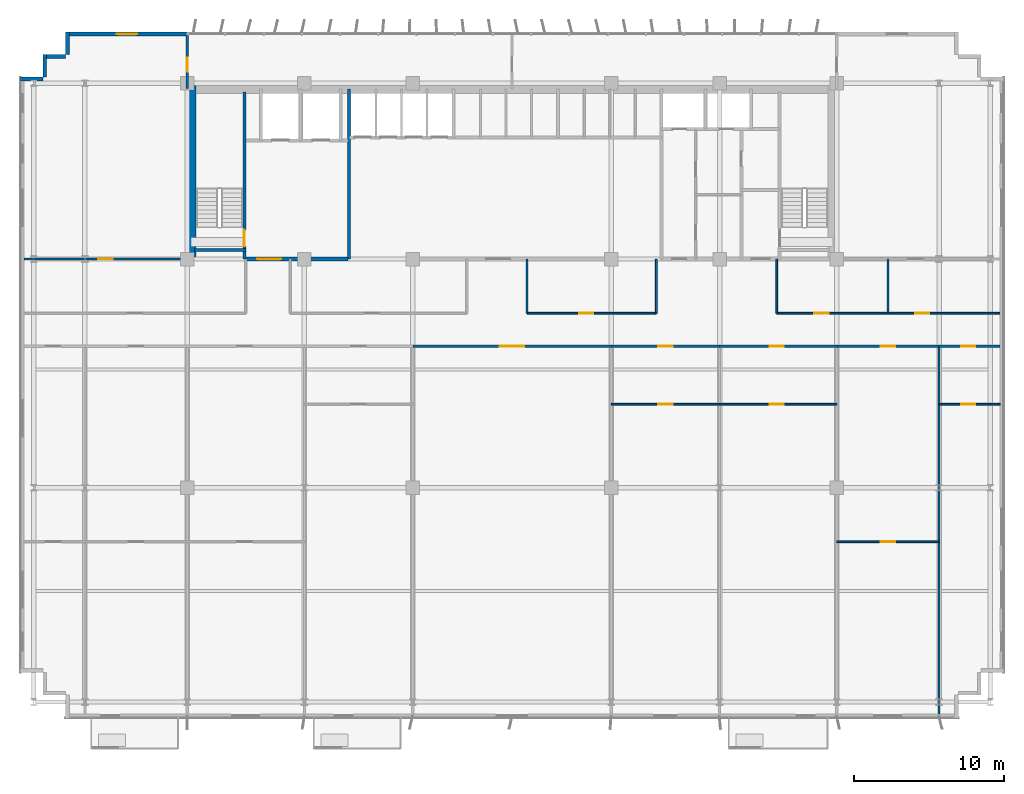
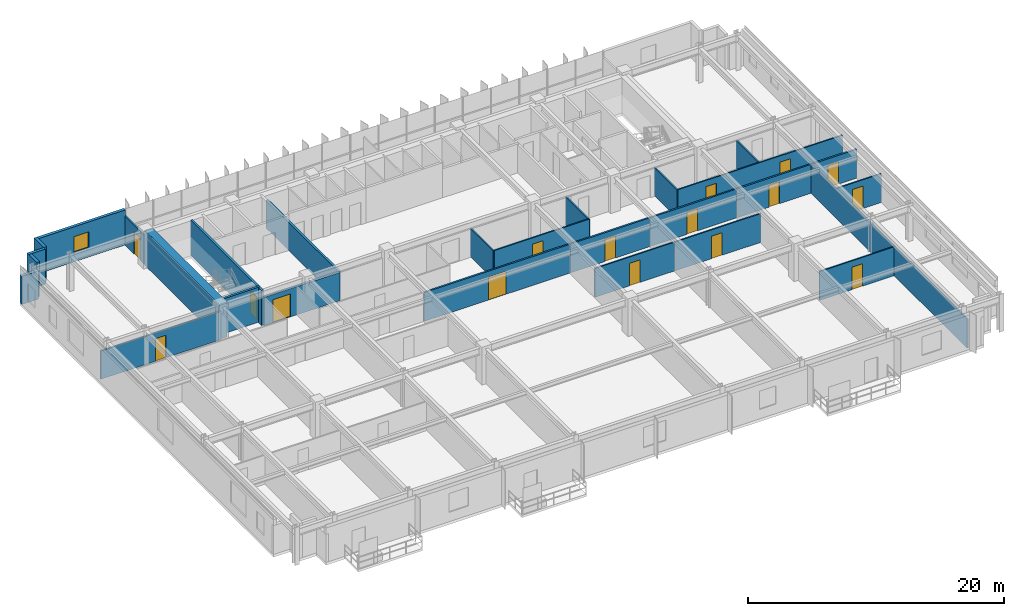
# One storey, part 16 of 21: 28 walls, 16 doors, 1 window, 17 openings.
"""IFC4 building model written with IfcOpenShell, lengths in metres."""

from ifc_helpers import new_model, si_unit, direction, frame, frame_2d, origin, place, context, subcontext, project, spatial, rectangle, extrude, source, transform, mapped, material, layer, layer_set, type_object, element, fill, save


model = new_model("IFC4")

# Units and contexts
model_context = context("Model", 3, precision=1e-05, world=origin(), true_north=direction((0.0, 1.0)))
body_context = subcontext(model_context, "Body", "Model", "MODEL_VIEW")
ifc_project = project(units=[si_unit("LENGTHUNIT", "METRE"), si_unit("AREAUNIT", "SQUARE_METRE"), si_unit("VOLUMEUNIT", "CUBIC_METRE"), si_unit("PLANEANGLEUNIT", "RADIAN"), si_unit("MASSUNIT", "GRAM", prefix="KILO")], contexts=[model_context])

# Site, building, storey
site_placement = place(None, origin())
site = spatial("IfcSite", under=ifc_project, at=site_placement, CompositionType="ELEMENT")
building_placement = place(site_placement, origin())
building = spatial("IfcBuilding", under=site, at=building_placement, Name="Trelvane Seafront Commons", CompositionType="ELEMENT")
storey_placement = place(building_placement, frame((0.0, 0.0, 37.89990234375)))
storey = spatial("IfcBuildingStorey", under=building, at=storey_placement, Name="L09", CompositionType="ELEMENT", Elevation=37.89990234375)

# Wall, opening, window
ifc_material_1 = material(Name="Precast concrete C40/50", Category="concrete")
ifc_layer_1 = layer(ifc_material_1, 0.260009765625, Name="ARCH-WALL-EXT260")
ifc_layer_set_1 = layer_set([ifc_layer_1], Name="Precast concrete C40/50")
wall_type_1 = type_object("IfcWallType", Name="ARCH-WALL-EXT260", PredefinedType="SOLIDWALL", material=ifc_layer_set_1)
wall_1_placement = place(storey_placement, frame((7.60009765625, 48.3701171875, 0.0), z_axis=(0.0, 0.0, 1.0), x_axis=(1.0, 0.0, 0.0)))
wall_1 = element("IfcWall", 1, at=wall_1_placement, inside=storey, type_object=wall_type_1, Name="EW-L09-NW-0129", PredefinedType="SOLIDWALL", context=body_context, shape_type="SweptSolid", body=[
    extrude(rectangle(XDim=8.0, YDim=0.260009765625, at=frame_2d((4.0, 0.0))), origin(), (0.0, 0.0, 1.0), 3.340087890625),
])
opening_1_placement = place(wall_1_placement, frame((3.324951171875, 0.0, 0.89990234375)))
opening_1 = element("IfcOpeningElement", 2, at=opening_1_placement, cuts=wall_1, Name="Opening W09", PredefinedType="OPENING", context=body_context, shape_type="SweptSolid", body=[
    extrude(rectangle(XDim=1.35009765625, YDim=1.5, at=frame_2d((0.675048828125, 0.75))), frame((0.0, 0.139892578125, 0.0), z_axis=(0.0, -1.0, 0.0), x_axis=(1.0, 0.0, 0.0)), (0.0, 0.0, 1.0), 0.280029296875),
])
ifc_material_2 = material(Name="Low-E coastal double glazing", Category="glass")
window_type = type_object("IfcWindowType", Name="ARCH-WIN-W09", PartitioningType="SINGLE_PANEL", PredefinedType="WINDOW", material=ifc_material_2)
shared_shape_1 = source(origin(), body_context, "Body", "SweptSolid", [
    extrude(rectangle(XDim=1.35009765625, YDim=1.5, at=frame_2d((0.675048828125, 0.75))), frame((0.0, 0.030029296875, 0.0), z_axis=(0.0, -1.0, 0.0), x_axis=(1.0, 0.0, 0.0)), (0.0, 0.0, 1.0), 0.06005859375),
])
window_placement = place(opening_1_placement, origin())
window = element("IfcWindow", 3, at=window_placement, inside=storey, type_object=window_type, Name="WIN-L09-00174", OverallHeight=1.5, OverallWidth=1.35009765625, PartitioningType="SINGLE_PANEL", PredefinedType="WINDOW", context=body_context, shape_type="MappedRepresentation", body=[
    mapped(shared_shape_1, transform((0.0, 0.0, 0.0), x_axis=(1.0, 0.0, 0.0), y_axis=(0.0, 1.0, 0.0), z_axis=(0.0, 0.0, 1.0), scale=1.0)),
])
fill(opening_1, window)

# Walls
wall_2_placement = place(storey_placement, frame((4.5, 45.3701171875, 0.0), z_axis=(0.0, 0.0, 1.0), x_axis=(1.0, 0.0, 0.0)))
element("IfcWall", 4, at=wall_2_placement, inside=storey, type_object=wall_type_1, Name="EW-L09-00135", PredefinedType="SOLIDWALL", context=body_context, shape_type="SweptSolid", body=[
    extrude(rectangle(XDim=1.5, YDim=0.260009765625, at=frame_2d((0.75, 0.0))), origin(), (0.0, 0.0, 1.0), 2.690185546875),
])
for number, where, z_axis, x_axis, name in (
    (5, (6.1298828125, 45.5, 0.0), (0.0, 0.0, 1.0), (0.0, 1.0, 0.0), "EW-L09-00136"),
    (6, (6.0, 46.8701171875, 0.0), (0.0, 0.0, 1.0), (1.0, 0.0, 0.0), "EW-L09-00137"),
    (7, (7.6298828125, 47.0, 0.0), (0.0, 0.0, 1.0), (0.0, 1.0, 0.0), "EW-L09-00138"),
):
    element("IfcWall", number, at=place(storey_placement, frame(where, z_axis=z_axis, x_axis=x_axis)), inside=storey, type_object=wall_type_1, Name=name, PredefinedType="SOLIDWALL", context=body_context, shape_type="SweptSolid", body=[
        extrude(rectangle(XDim=1.5, YDim=0.260009765625, at=frame_2d((0.75, 0.0))), origin(), (0.0, 0.0, 1.0), 3.340087890625),
    ])

# Wall, opening, door
ifc_material_3 = material(Name="Concrete C40/50", Category="concrete")
ifc_layer_2 = layer(ifc_material_3, 0.25, Name="ARCH-WALL-FIRE250")
ifc_layer_set_2 = layer_set([ifc_layer_2], Name="Concrete C40/50")
wall_type_2 = type_object("IfcWallType", Name="ARCH-WALL-FIRE250", PredefinedType="PARTITIONING", material=ifc_layer_set_2)
wall_3_placement = place(storey_placement, frame((19.5, 33.39990234375, 0.0), z_axis=(0.0, 0.0, 1.0), x_axis=(1.0, 0.0, 0.0)))
wall_3 = element("IfcWall", 8, at=wall_3_placement, inside=storey, type_object=wall_type_2, Name="W-L09-CS-FFL-013", PredefinedType="PARTITIONING", context=body_context, shape_type="SweptSolid", body=[
    extrude(rectangle(XDim=6.800048828125, YDim=0.25, at=frame_2d((3.39990234375, 0.0))), origin(), (0.0, 0.0, 1.0), 2.690185546875),
])
opening_2_placement = place(wall_3_placement, frame((0.75, 0.0, 0.0)))
opening_2 = element("IfcOpeningElement", 9, at=opening_2_placement, cuts=wall_3, Name="Opening FD-L09-05", PredefinedType="OPENING", context=body_context, shape_type="SweptSolid", body=[
    extrude(rectangle(XDim=1.60009765625, YDim=2.199951171875, at=frame_2d((0.800048828125, 1.10009765625))), frame((0.0, 0.135009765625, 0.0), z_axis=(0.0, -1.0, 0.0), x_axis=(1.0, 0.0, 0.0)), (0.0, 0.0, 1.0), 0.27001953125),
])
ifc_material_4 = material(Name="Powder-coated aluminium frame", Category="aluminium")
door_type_1 = type_object("IfcDoorType", Name="ARCH-DR-FD60-1600", OperationType="DOUBLE_DOOR_SINGLE_SWING", PredefinedType="DOOR", material=ifc_material_4)
shared_shape_2 = source(origin(), body_context, "Body", "SweptSolid", [
    extrude(rectangle(XDim=1.60009765625, YDim=2.199951171875, at=frame_2d((0.800048828125, 1.10009765625))), frame((0.0, 0.02490234375, 0.0), z_axis=(0.0, -1.0, 0.0), x_axis=(1.0, 0.0, 0.0)), (0.0, 0.0, 1.0), 0.050048828125),
])
door_1_placement = place(opening_2_placement, origin())
door_1 = element("IfcDoor", 10, at=door_1_placement, inside=storey, type_object=door_type_1, Name="L09 Firefighting Lift Lobby Double Fire Door", OperationType="DOUBLE_DOOR_SINGLE_SWING", OverallHeight=2.199951171875, OverallWidth=1.60009765625, PredefinedType="DOOR", context=body_context, shape_type="MappedRepresentation", body=[
    mapped(shared_shape_2, transform((0.0, 0.0, 0.0), x_axis=(1.0, 0.0, 0.0), y_axis=(0.0, 1.0, 0.0), z_axis=(0.0, 0.0, 1.0), scale=1.0)),
])
fill(opening_2, door_1)

ifc_material_5 = material(Name="Gypsum Drywall Acoustic Partition")
ifc_layer_3 = layer(ifc_material_5, 0.1201171875, Name="ARCH-WALL-PART120")
ifc_layer_set_3 = layer_set([ifc_layer_3], Name="Gypsum Drywall Acoustic Partition")
wall_type_3 = type_object("IfcWallType", Name="ARCH-WALL-PART120", PredefinedType="PARTITIONING", material=ifc_layer_set_3)
wall_4_placement = place(storey_placement, frame((38.199951171875, 29.800048828125, 0.0), z_axis=(0.0, 0.0, 1.0), x_axis=(1.0, 0.0, 0.0)))
wall_4 = element("IfcWall", 11, at=wall_4_placement, inside=storey, type_object=wall_type_3, Name="W-L09-CORR-N-M2-040", PredefinedType="PARTITIONING", context=body_context, shape_type="SweptSolid", body=[
    extrude(rectangle(XDim=8.60009765625, YDim=0.1201171875, at=frame_2d((4.300048828125, 0.0))), origin(), (0.0, 0.0, 1.0), 2.752197265625),
])
opening_3_placement = place(wall_4_placement, frame((3.4619140625, 0.0, 0.0)))
opening_3 = element("IfcOpeningElement", 12, at=opening_3_placement, cuts=wall_4, Name="Opening D-L09-20", PredefinedType="OPENING", context=body_context, shape_type="SweptSolid", body=[
    extrude(rectangle(XDim=0.949951171875, YDim=2.14990234375, at=frame_2d((0.47509765625, 1.074951171875))), frame((0.0, 0.070068359375, 0.0), z_axis=(0.0, -1.0, 0.0), x_axis=(1.0, 0.0, 0.0)), (0.0, 0.0, 1.0), 0.14013671875),
])
ifc_material_6 = material(Name="Acoustic timber door leaf", Category="wood")
door_type_2 = type_object("IfcDoorType", Name="ARCH-DR-INT950", OperationType="NOTDEFINED", PredefinedType="DOOR", material=ifc_material_6)
shared_shape_3 = source(origin(), body_context, "Body", "SweptSolid", [
    extrude(rectangle(XDim=0.949951171875, YDim=2.14990234375, at=frame_2d((0.47509765625, 1.074951171875))), frame((0.0, 0.02490234375, 0.0), z_axis=(0.0, -1.0, 0.0), x_axis=(1.0, 0.0, 0.0)), (0.0, 0.0, 1.0), 0.050048828125),
])
door_2_placement = place(opening_3_placement, origin())
door_2 = element("IfcDoor", 13, at=door_2_placement, inside=storey, type_object=door_type_2, Name="L09 Door 20", OperationType="SINGLE_SWING_RIGHT", OverallHeight=2.14990234375, OverallWidth=0.949951171875, PredefinedType="DOOR", context=body_context, shape_type="MappedRepresentation", body=[
    mapped(shared_shape_3, transform((0.0, 0.0, 0.0), x_axis=(1.0, 0.0, 0.0), y_axis=(0.0, 1.0, 0.0), z_axis=(0.0, 0.0, 1.0), scale=1.0)),
])
fill(opening_3, door_2)

# Wall, openings, doors
wall_5_placement = place(storey_placement, frame((54.800048828125, 29.800048828125, 0.0), z_axis=(0.0, 0.0, 1.0), x_axis=(1.0, 0.0, 0.0)))
wall_5 = element("IfcWall", 14, at=wall_5_placement, inside=storey, type_object=wall_type_3, Name="W-L09-CORR-N-E-041", PredefinedType="PARTITIONING", context=body_context, shape_type="SweptSolid", body=[
    extrude(rectangle(XDim=14.849853515625, YDim=0.1201171875, at=frame_2d((7.4248046875, 0.0))), origin(), (0.0, 0.0, 1.0), 2.752197265625),
])
opening_4_placement = place(wall_5_placement, frame((2.5, 0.0, 0.0)))
opening_4 = element("IfcOpeningElement", 15, at=opening_4_placement, cuts=wall_5, Name="Opening D-L09-21", PredefinedType="OPENING", context=body_context, shape_type="SweptSolid", body=[
    extrude(rectangle(XDim=0.949951171875, YDim=2.14990234375, at=frame_2d((0.47509765625, 1.074951171875))), frame((0.0, 0.070068359375, 0.0), z_axis=(0.0, -1.0, 0.0), x_axis=(1.0, 0.0, 0.0)), (0.0, 0.0, 1.0), 0.14013671875),
])
opening_5_placement = place(wall_5_placement, frame((9.199951171875, 0.0, 0.0)))
opening_5 = element("IfcOpeningElement", 16, at=opening_5_placement, cuts=wall_5, Name="Opening D-L09-22", PredefinedType="OPENING", context=body_context, shape_type="SweptSolid", body=[
    extrude(rectangle(XDim=0.949951171875, YDim=2.14990234375, at=frame_2d((0.47509765625, 1.074951171875))), frame((0.0, 0.070068359375, 0.0), z_axis=(0.0, -1.0, 0.0), x_axis=(1.0, 0.0, 0.0)), (0.0, 0.0, 1.0), 0.14013671875),
])
door_3_placement = place(opening_4_placement, origin())
door_3 = element("IfcDoor", 17, at=door_3_placement, inside=storey, type_object=door_type_2, Name="L09 Door 21", OperationType="SINGLE_SWING_LEFT", OverallHeight=2.14990234375, OverallWidth=0.949951171875, PredefinedType="DOOR", context=body_context, shape_type="MappedRepresentation", body=[
    mapped(shared_shape_3, transform((0.0, 0.0, 0.0), x_axis=(1.0, 0.0, 0.0), y_axis=(0.0, 1.0, 0.0), z_axis=(0.0, 0.0, 1.0), scale=1.0)),
])
fill(opening_4, door_3)
door_4_placement = place(opening_5_placement, origin())
door_4 = element("IfcDoor", 18, at=door_4_placement, inside=storey, type_object=door_type_2, Name="L09 Door 22", OperationType="SINGLE_SWING_RIGHT", OverallHeight=2.14990234375, OverallWidth=0.949951171875, PredefinedType="DOOR", context=body_context, shape_type="MappedRepresentation", body=[
    mapped(shared_shape_3, transform((0.0, 0.0, 0.0), x_axis=(1.0, 0.0, 0.0), y_axis=(0.0, 1.0, 0.0), z_axis=(0.0, 0.0, 1.0), scale=1.0)),
])
fill(opening_5, door_4)

# Walls
for number, where, z_axis, x_axis, name in (
    (19, (62.199951171875, 29.800048828125, 0.0), (0.0, 0.0, 1.0), (0.0, 1.0, 0.0), "W-L09-N-LAUN-DV-042"),
    (20, (38.199951171875, 29.800048828125, 0.0), (0.0, 0.0, 1.0), (0.0, 1.0, 0.0), "W-L09-N-SPUR-M2-046"),
    (21, (46.800048828125, 29.800048828125, 0.0), (0.0, 0.0, 1.0), (0.0, 1.0, 0.0), "W-L09-N-SPUR-E1-047"),
    (22, (54.800048828125, 29.800048828125, 0.0), (0.0, 0.0, 1.0), (0.0, 1.0, 0.0), "W-L09-N-SPUR-E2-048"),
):
    element("IfcWall", number, at=place(storey_placement, frame(where, z_axis=z_axis, x_axis=x_axis)), inside=storey, type_object=wall_type_3, Name=name, PredefinedType="PARTITIONING", context=body_context, shape_type="SweptSolid", body=[
        extrude(rectangle(XDim=3.599853515625, YDim=0.1201171875, at=frame_2d((1.7998046875, 0.0))), origin(), (0.0, 0.0, 1.0), 2.690185546875),
    ])

# Wall, opening, door
wall_6_placement = place(storey_placement, frame((43.800048828125, 23.75, 0.0), z_axis=(0.0, 0.0, 1.0), x_axis=(1.0, 0.0, 0.0)))
wall_6 = element("IfcWall", 23, at=wall_6_placement, inside=storey, type_object=wall_type_3, Name="W-L09-U6-DIV-072", PredefinedType="PARTITIONING", context=body_context, shape_type="SweptSolid", body=[
    extrude(rectangle(XDim=7.199951171875, YDim=0.1201171875, at=frame_2d((3.60009765625, 0.0))), origin(), (0.0, 0.0, 1.0), 2.752197265625),
])
opening_6_placement = place(wall_6_placement, frame((3.125, 0.0, 0.0)))
opening_6 = element("IfcOpeningElement", 24, at=opening_6_placement, cuts=wall_6, Name="Opening D-L09-38", PredefinedType="OPENING", context=body_context, shape_type="SweptSolid", body=[
    extrude(rectangle(XDim=0.949951171875, YDim=2.14990234375, at=frame_2d((0.47509765625, 1.074951171875))), frame((0.0, 0.070068359375, 0.0), z_axis=(0.0, -1.0, 0.0), x_axis=(1.0, 0.0, 0.0)), (0.0, 0.0, 1.0), 0.14013671875),
])
door_5_placement = place(opening_6_placement, origin())
door_5 = element("IfcDoor", 25, at=door_5_placement, inside=storey, type_object=door_type_2, Name="L09 Door 38", OperationType="SINGLE_SWING_RIGHT", OverallHeight=2.14990234375, OverallWidth=0.949951171875, PredefinedType="DOOR", context=body_context, shape_type="MappedRepresentation", body=[
    mapped(shared_shape_3, transform((0.0, 0.0, 0.0), x_axis=(1.0, 0.0, 0.0), y_axis=(0.0, 1.0, 0.0), z_axis=(0.0, 0.0, 1.0), scale=1.0)),
])
fill(opening_6, door_5)

wall_7_placement = place(storey_placement, frame((51.0, 23.75, 0.0), z_axis=(0.0, 0.0, 1.0), x_axis=(1.0, 0.0, 0.0)))
wall_7 = element("IfcWall", 26, at=wall_7_placement, inside=storey, type_object=wall_type_3, Name="W-L09-U7-DIV-074", PredefinedType="PARTITIONING", context=body_context, shape_type="SweptSolid", body=[
    extrude(rectangle(XDim=7.800048828125, YDim=0.1201171875, at=frame_2d((3.89990234375, 0.0))), origin(), (0.0, 0.0, 1.0), 2.752197265625),
])
opening_7_placement = place(wall_7_placement, frame((3.3330078125, 0.0, 0.0)))
opening_7 = element("IfcOpeningElement", 27, at=opening_7_placement, cuts=wall_7, Name="Opening D-L09-40", PredefinedType="OPENING", context=body_context, shape_type="SweptSolid", body=[
    extrude(rectangle(XDim=0.949951171875, YDim=2.14990234375, at=frame_2d((0.47509765625, 1.074951171875))), frame((0.0, 0.070068359375, 0.0), z_axis=(0.0, -1.0, 0.0), x_axis=(1.0, 0.0, 0.0)), (0.0, 0.0, 1.0), 0.14013671875),
])
door_6_placement = place(opening_7_placement, origin())
door_6 = element("IfcDoor", 28, at=door_6_placement, inside=storey, type_object=door_type_2, Name="L09 Door 40", OperationType="SINGLE_SWING_RIGHT", OverallHeight=2.14990234375, OverallWidth=0.949951171875, PredefinedType="DOOR", context=body_context, shape_type="MappedRepresentation", body=[
    mapped(shared_shape_3, transform((0.0, 0.0, 0.0), x_axis=(1.0, 0.0, 0.0), y_axis=(0.0, 1.0, 0.0), z_axis=(0.0, 0.0, 1.0), scale=1.0)),
])
fill(opening_7, door_6)

wall_8_placement = place(storey_placement, frame((58.800048828125, 14.60009765625, 0.0), z_axis=(0.0, 0.0, 1.0), x_axis=(1.0, 0.0, 0.0)))
wall_8 = element("IfcWall", 29, at=wall_8_placement, inside=storey, type_object=wall_type_3, Name="W-L09-U8-DIV-076", PredefinedType="PARTITIONING", context=body_context, shape_type="SweptSolid", body=[
    extrude(rectangle(XDim=6.800048828125, YDim=0.1201171875, at=frame_2d((3.39990234375, 0.0))), origin(), (0.0, 0.0, 1.0), 2.752197265625),
])
opening_8_placement = place(wall_8_placement, frame((2.925048828125, 0.0, 0.0)))
opening_8 = element("IfcOpeningElement", 30, at=opening_8_placement, cuts=wall_8, Name="Opening D-L09-42", PredefinedType="OPENING", context=body_context, shape_type="SweptSolid", body=[
    extrude(rectangle(XDim=0.949951171875, YDim=2.14990234375, at=frame_2d((0.47509765625, 1.074951171875))), frame((0.0, 0.070068359375, 0.0), z_axis=(0.0, -1.0, 0.0), x_axis=(1.0, 0.0, 0.0)), (0.0, 0.0, 1.0), 0.14013671875),
])
door_7_placement = place(opening_8_placement, origin())
door_7 = element("IfcDoor", 31, at=door_7_placement, inside=storey, type_object=door_type_2, Name="L09 Door 42", OperationType="SINGLE_SWING_RIGHT", OverallHeight=2.14990234375, OverallWidth=0.949951171875, PredefinedType="DOOR", context=body_context, shape_type="MappedRepresentation", body=[
    mapped(shared_shape_3, transform((0.0, 0.0, 0.0), x_axis=(1.0, 0.0, 0.0), y_axis=(0.0, 1.0, 0.0), z_axis=(0.0, 0.0, 1.0), scale=1.0)),
])
fill(opening_8, door_7)

wall_9_placement = place(storey_placement, frame((65.60009765625, 23.75, 0.0), z_axis=(0.0, 0.0, 1.0), x_axis=(1.0, 0.0, 0.0)))
wall_9 = element("IfcWall", 32, at=wall_9_placement, inside=storey, type_object=wall_type_3, Name="W-L09-U9-DIV-078", PredefinedType="PARTITIONING", context=body_context, shape_type="SweptSolid", body=[
    extrude(rectangle(XDim=4.054931640625, YDim=0.1201171875, at=frame_2d((2.02734375, 0.0))), origin(), (0.0, 0.0, 1.0), 2.752197265625),
])
opening_9_placement = place(wall_9_placement, frame((1.4619140625, 0.0, 0.0)))
opening_9 = element("IfcOpeningElement", 33, at=opening_9_placement, cuts=wall_9, Name="Opening D-L09-44", PredefinedType="OPENING", context=body_context, shape_type="SweptSolid", body=[
    extrude(rectangle(XDim=0.949951171875, YDim=2.14990234375, at=frame_2d((0.47509765625, 1.074951171875))), frame((0.0, 0.070068359375, 0.0), z_axis=(0.0, -1.0, 0.0), x_axis=(1.0, 0.0, 0.0)), (0.0, 0.0, 1.0), 0.14013671875),
])
door_8_placement = place(opening_9_placement, origin())
door_8 = element("IfcDoor", 34, at=door_8_placement, inside=storey, type_object=door_type_2, Name="L09 Door 44", OperationType="SINGLE_SWING_RIGHT", OverallHeight=2.14990234375, OverallWidth=0.949951171875, PredefinedType="DOOR", context=body_context, shape_type="MappedRepresentation", body=[
    mapped(shared_shape_3, transform((0.0, 0.0, 0.0), x_axis=(1.0, 0.0, 0.0), y_axis=(0.0, 1.0, 0.0), z_axis=(0.0, 0.0, 1.0), scale=1.0)),
])
fill(opening_9, door_8)

ifc_layer_4 = layer(ifc_material_5, 0.14990234375, Name="ARCH-WALL-PART150")
ifc_layer_set_4 = layer_set([ifc_layer_4], Name="Gypsum Drywall Acoustic Partition")
wall_type_4 = type_object("IfcWallType", Name="ARCH-WALL-PART150", PredefinedType="PARTITIONING", material=ifc_layer_set_4)
wall_10_placement = place(storey_placement, frame((4.75, 33.39990234375, 0.0), z_axis=(0.0, 0.0, 1.0), x_axis=(1.0, 0.0, 0.0)))
wall_10 = element("IfcWall", 35, at=wall_10_placement, inside=storey, type_object=wall_type_4, Name="W-L09-NW-ENT-049", PredefinedType="PARTITIONING", context=body_context, shape_type="SweptSolid", body=[
    extrude(rectangle(XDim=10.85009765625, YDim=0.14990234375, at=frame_2d((5.425048828125, 0.0))), origin(), (0.0, 0.0, 1.0), 2.690185546875),
])
opening_10_placement = place(wall_10_placement, frame((4.93994140625, 0.0, 0.0)))
opening_10 = element("IfcOpeningElement", 36, at=opening_10_placement, cuts=wall_10, Name="Opening FD-L09-23", PredefinedType="OPENING", context=body_context, shape_type="SweptSolid", body=[
    extrude(rectangle(XDim=0.949951171875, YDim=2.14990234375, at=frame_2d((0.47509765625, 1.074951171875))), frame((0.0, 0.0849609375, 0.0), z_axis=(0.0, -1.0, 0.0), x_axis=(1.0, 0.0, 0.0)), (0.0, 0.0, 1.0), 0.169921875),
])
door_type_3 = type_object("IfcDoorType", Name="ARCH-DR-FD60-950", OperationType="NOTDEFINED", PredefinedType="DOOR", material=ifc_material_4)
door_9_placement = place(opening_10_placement, origin())
door_9 = element("IfcDoor", 37, at=door_9_placement, inside=storey, type_object=door_type_3, Name="L09 NW Suite Entrance Door", OperationType="SINGLE_SWING_LEFT", OverallHeight=2.14990234375, OverallWidth=0.949951171875, PredefinedType="DOOR", context=body_context, shape_type="MappedRepresentation", body=[
    mapped(shared_shape_3, transform((0.0, 0.0, 0.0), x_axis=(1.0, 0.0, 0.0), y_axis=(0.0, 1.0, 0.0), z_axis=(0.0, 0.0, 1.0), scale=1.0)),
])
fill(opening_10, door_9)

wall_11_placement = place(storey_placement, frame((15.60009765625, 44.75, 0.0), z_axis=(0.0, 0.0, 1.0), x_axis=(0.0, 1.0, 0.0)))
wall_11 = element("IfcWall", 38, at=wall_11_placement, inside=storey, type_object=wall_type_4, Name="W-L09-N-LINK-W-052", PredefinedType="PARTITIONING", context=body_context, shape_type="SweptSolid", body=[
    extrude(rectangle(XDim=3.610107421875, YDim=0.14990234375, at=frame_2d((1.80517578125, 0.0))), origin(), (0.0, 0.0, 1.0), 2.752197265625),
])
opening_11_placement = place(wall_11_placement, frame((1.10009765625, 0.0, 0.0)))
opening_11 = element("IfcOpeningElement", 39, at=opening_11_placement, cuts=wall_11, Name="Opening FD-L09-26", PredefinedType="OPENING", context=body_context, shape_type="SweptSolid", body=[
    extrude(rectangle(XDim=0.949951171875, YDim=2.14990234375, at=frame_2d((0.47509765625, 1.074951171875))), frame((0.0, 0.0849609375, 0.0), z_axis=(0.0, -1.0, 0.0), x_axis=(1.0, 0.0, 0.0)), (0.0, 0.0, 1.0), 0.169921875),
])
door_10_placement = place(opening_11_placement, origin())
door_10 = element("IfcDoor", 40, at=door_10_placement, inside=storey, type_object=door_type_3, Name="L09 Door 26", OperationType="SINGLE_SWING_RIGHT", OverallHeight=2.14990234375, OverallWidth=0.949951171875, PredefinedType="DOOR", context=body_context, shape_type="MappedRepresentation", body=[
    mapped(shared_shape_3, transform((0.0, 0.0, 0.0), x_axis=(1.0, 0.0, 0.0), y_axis=(0.0, 1.0, 0.0), z_axis=(0.0, 0.0, 1.0), scale=1.0)),
])
fill(opening_11, door_10)

# Wall
wall_12_placement = place(storey_placement, frame((65.60009765625, 3.14501953125, 0.0), z_axis=(0.0, 0.0, 1.0), x_axis=(0.0, 1.0, 0.0)))
element("IfcWall", 41, at=wall_12_placement, inside=storey, type_object=wall_type_4, Name="W-L09-PW-8-061", PredefinedType="PARTITIONING", context=body_context, shape_type="SweptSolid", body=[
    extrude(rectangle(XDim=24.455078125, YDim=0.14990234375, at=frame_2d((12.2275390625, 0.0))), origin(), (0.0, 0.0, 1.0), 2.752197265625),
])

# Wall, opening, door
wall_13_placement = place(storey_placement, frame((30.60009765625, 27.60009765625, 0.0), z_axis=(0.0, 0.0, 1.0), x_axis=(1.0, 0.0, 0.0)))
wall_13 = element("IfcWall", 42, at=wall_13_placement, inside=storey, type_object=wall_type_4, Name="W-L09-CS-BAY-5-070", PredefinedType="PARTITIONING", context=body_context, shape_type="SweptSolid", body=[
    extrude(rectangle(XDim=13.199951171875, YDim=0.14990234375, at=frame_2d((6.60009765625, 0.0))), origin(), (0.0, 0.0, 1.0), 2.752197265625),
])
opening_12_placement = place(wall_13_placement, frame((5.800048828125, 0.0, 0.0)))
opening_12 = element("IfcOpeningElement", 43, at=opening_12_placement, cuts=wall_13, Name="Opening D-L09-36", PredefinedType="OPENING", context=body_context, shape_type="SweptSolid", body=[
    extrude(rectangle(XDim=1.60009765625, YDim=2.199951171875, at=frame_2d((0.800048828125, 1.10009765625))), frame((0.0, 0.0849609375, 0.0), z_axis=(0.0, -1.0, 0.0), x_axis=(1.0, 0.0, 0.0)), (0.0, 0.0, 1.0), 0.169921875),
])
door_type_4 = type_object("IfcDoorType", Name="ARCH-DR-GLZ1600", OperationType="DOUBLE_DOOR_SINGLE_SWING", PredefinedType="DOOR", material=ifc_material_6)
door_11_placement = place(opening_12_placement, origin())
door_11 = element("IfcDoor", 44, at=door_11_placement, inside=storey, type_object=door_type_4, Name="L09 Commons Lounge 05 Door", OperationType="DOUBLE_DOOR_SINGLE_SWING", OverallHeight=2.199951171875, OverallWidth=1.60009765625, PredefinedType="DOOR", context=body_context, shape_type="MappedRepresentation", body=[
    mapped(shared_shape_2, transform((0.0, 0.0, 0.0), x_axis=(1.0, 0.0, 0.0), y_axis=(0.0, 1.0, 0.0), z_axis=(0.0, 0.0, 1.0), scale=1.0)),
])
fill(opening_12, door_11)

wall_14_placement = place(storey_placement, frame((43.800048828125, 27.60009765625, 0.0), z_axis=(0.0, 0.0, 1.0), x_axis=(1.0, 0.0, 0.0)))
wall_14 = element("IfcWall", 45, at=wall_14_placement, inside=storey, type_object=wall_type_4, Name="W-L09-CS-BAY-6-071", PredefinedType="PARTITIONING", context=body_context, shape_type="SweptSolid", body=[
    extrude(rectangle(XDim=7.199951171875, YDim=0.14990234375, at=frame_2d((3.60009765625, 0.0))), origin(), (0.0, 0.0, 1.0), 2.752197265625),
])
opening_13_placement = place(wall_14_placement, frame((3.125, 0.0, 0.0)))
opening_13 = element("IfcOpeningElement", 46, at=opening_13_placement, cuts=wall_14, Name="Opening FD-L09-37", PredefinedType="OPENING", context=body_context, shape_type="SweptSolid", body=[
    extrude(rectangle(XDim=0.949951171875, YDim=2.14990234375, at=frame_2d((0.47509765625, 1.074951171875))), frame((0.0, 0.0849609375, 0.0), z_axis=(0.0, -1.0, 0.0), x_axis=(1.0, 0.0, 0.0)), (0.0, 0.0, 1.0), 0.169921875),
])
door_12_placement = place(opening_13_placement, origin())
door_12 = element("IfcDoor", 47, at=door_12_placement, inside=storey, type_object=door_type_3, Name="L09 Bay 06 Entrance Door", OperationType="SINGLE_SWING_LEFT", OverallHeight=2.14990234375, OverallWidth=0.949951171875, PredefinedType="DOOR", context=body_context, shape_type="MappedRepresentation", body=[
    mapped(shared_shape_3, transform((0.0, 0.0, 0.0), x_axis=(1.0, 0.0, 0.0), y_axis=(0.0, 1.0, 0.0), z_axis=(0.0, 0.0, 1.0), scale=1.0)),
])
fill(opening_13, door_12)

wall_15_placement = place(storey_placement, frame((51.0, 27.60009765625, 0.0), z_axis=(0.0, 0.0, 1.0), x_axis=(1.0, 0.0, 0.0)))
wall_15 = element("IfcWall", 48, at=wall_15_placement, inside=storey, type_object=wall_type_4, Name="W-L09-CS-BAY-7-073", PredefinedType="PARTITIONING", context=body_context, shape_type="SweptSolid", body=[
    extrude(rectangle(XDim=7.800048828125, YDim=0.14990234375, at=frame_2d((3.89990234375, 0.0))), origin(), (0.0, 0.0, 1.0), 2.752197265625),
])
opening_14_placement = place(wall_15_placement, frame((3.3330078125, 0.0, 0.0)))
opening_14 = element("IfcOpeningElement", 49, at=opening_14_placement, cuts=wall_15, Name="Opening FD-L09-39", PredefinedType="OPENING", context=body_context, shape_type="SweptSolid", body=[
    extrude(rectangle(XDim=0.949951171875, YDim=2.14990234375, at=frame_2d((0.47509765625, 1.074951171875))), frame((0.0, 0.0849609375, 0.0), z_axis=(0.0, -1.0, 0.0), x_axis=(1.0, 0.0, 0.0)), (0.0, 0.0, 1.0), 0.169921875),
])
door_13_placement = place(opening_14_placement, origin())
door_13 = element("IfcDoor", 50, at=door_13_placement, inside=storey, type_object=door_type_3, Name="L09 Bay 07 Entrance Door", OperationType="SINGLE_SWING_LEFT", OverallHeight=2.14990234375, OverallWidth=0.949951171875, PredefinedType="DOOR", context=body_context, shape_type="MappedRepresentation", body=[
    mapped(shared_shape_3, transform((0.0, 0.0, 0.0), x_axis=(1.0, 0.0, 0.0), y_axis=(0.0, 1.0, 0.0), z_axis=(0.0, 0.0, 1.0), scale=1.0)),
])
fill(opening_14, door_13)

wall_16_placement = place(storey_placement, frame((58.800048828125, 27.60009765625, 0.0), z_axis=(0.0, 0.0, 1.0), x_axis=(1.0, 0.0, 0.0)))
wall_16 = element("IfcWall", 51, at=wall_16_placement, inside=storey, type_object=wall_type_4, Name="W-L09-CS-BAY-8-075", PredefinedType="PARTITIONING", context=body_context, shape_type="SweptSolid", body=[
    extrude(rectangle(XDim=6.800048828125, YDim=0.14990234375, at=frame_2d((3.39990234375, 0.0))), origin(), (0.0, 0.0, 1.0), 2.752197265625),
])
opening_15_placement = place(wall_16_placement, frame((2.925048828125, 0.0, 0.0)))
opening_15 = element("IfcOpeningElement", 52, at=opening_15_placement, cuts=wall_16, Name="Opening FD-L09-41", PredefinedType="OPENING", context=body_context, shape_type="SweptSolid", body=[
    extrude(rectangle(XDim=0.949951171875, YDim=2.14990234375, at=frame_2d((0.47509765625, 1.074951171875))), frame((0.0, 0.0849609375, 0.0), z_axis=(0.0, -1.0, 0.0), x_axis=(1.0, 0.0, 0.0)), (0.0, 0.0, 1.0), 0.169921875),
])
door_14_placement = place(opening_15_placement, origin())
door_14 = element("IfcDoor", 53, at=door_14_placement, inside=storey, type_object=door_type_3, Name="L09 Bay 08 Entrance Door", OperationType="SINGLE_SWING_LEFT", OverallHeight=2.14990234375, OverallWidth=0.949951171875, PredefinedType="DOOR", context=body_context, shape_type="MappedRepresentation", body=[
    mapped(shared_shape_3, transform((0.0, 0.0, 0.0), x_axis=(1.0, 0.0, 0.0), y_axis=(0.0, 1.0, 0.0), z_axis=(0.0, 0.0, 1.0), scale=1.0)),
])
fill(opening_15, door_14)

wall_17_placement = place(storey_placement, frame((65.60009765625, 27.60009765625, 0.0), z_axis=(0.0, 0.0, 1.0), x_axis=(1.0, 0.0, 0.0)))
wall_17 = element("IfcWall", 54, at=wall_17_placement, inside=storey, type_object=wall_type_4, Name="W-L09-CS-BAY-9-077", PredefinedType="PARTITIONING", context=body_context, shape_type="SweptSolid", body=[
    extrude(rectangle(XDim=4.054931640625, YDim=0.14990234375, at=frame_2d((2.02734375, 0.0))), origin(), (0.0, 0.0, 1.0), 2.752197265625),
])
opening_16_placement = place(wall_17_placement, frame((1.4619140625, 0.0, 0.0)))
opening_16 = element("IfcOpeningElement", 55, at=opening_16_placement, cuts=wall_17, Name="Opening FD-L09-43", PredefinedType="OPENING", context=body_context, shape_type="SweptSolid", body=[
    extrude(rectangle(XDim=0.949951171875, YDim=2.14990234375, at=frame_2d((0.47509765625, 1.074951171875))), frame((0.0, 0.0849609375, 0.0), z_axis=(0.0, -1.0, 0.0), x_axis=(1.0, 0.0, 0.0)), (0.0, 0.0, 1.0), 0.169921875),
])
door_15_placement = place(opening_16_placement, origin())
door_15 = element("IfcDoor", 56, at=door_15_placement, inside=storey, type_object=door_type_3, Name="L09 Bay 09 Entrance Door", OperationType="SINGLE_SWING_LEFT", OverallHeight=2.14990234375, OverallWidth=0.949951171875, PredefinedType="DOOR", context=body_context, shape_type="MappedRepresentation", body=[
    mapped(shared_shape_3, transform((0.0, 0.0, 0.0), x_axis=(1.0, 0.0, 0.0), y_axis=(0.0, 1.0, 0.0), z_axis=(0.0, 0.0, 1.0), scale=1.0)),
])
fill(opening_16, door_15)

# Walls
ifc_layer_5 = layer(ifc_material_3, 0.199951171875, Name="ARCH-WALL-SHAFT200")
ifc_layer_set_5 = layer_set([ifc_layer_5], Name="Concrete C40/50")
wall_type_5 = type_object("IfcWallType", Name="ARCH-WALL-SHAFT200", PredefinedType="SOLIDWALL", material=ifc_layer_set_5)
wall_18_placement = place(storey_placement, frame((26.35009765625, 33.39990234375, 0.0), z_axis=(0.0, 0.0, 1.0), x_axis=(0.0, 1.0, 0.0)))
element("IfcWall", 57, at=wall_18_placement, inside=storey, type_object=wall_type_5, Name="W-L09-FFL-EAST-012", PredefinedType="SOLIDWALL", context=body_context, shape_type="SweptSolid", body=[
    extrude(rectangle(XDim=11.300048828125, YDim=0.199951171875, at=frame_2d((5.64990234375, 0.0))), origin(), (0.0, 0.0, 1.0), 2.690185546875),
])
ifc_material_7 = material(Name="Concrete C60/75", Category="concrete")
ifc_layer_6 = layer(ifc_material_7, 0.699951171875, Name="STR-WALL-CORE700")
ifc_layer_set_6 = layer_set([ifc_layer_6], Name="Concrete C60/75")
wall_type_6 = type_object("IfcWallType", Name="STR-WALL-CORE700", PredefinedType="SHEAR", material=ifc_layer_set_6)
wall_19_placement = place(storey_placement, frame((15.85009765625, 33.39990234375, 0.0), z_axis=(0.0, 0.0, 1.0), x_axis=(0.0, 1.0, 0.0)))
element("IfcWall", 58, at=wall_19_placement, inside=storey, type_object=wall_type_6, Name="W-L09-CW-END-002", PredefinedType="SHEAR", context=body_context, shape_type="SweptSolid", body=[
    extrude(rectangle(XDim=11.7001953125, YDim=0.699951171875, at=frame_2d((5.85009765625, 0.0))), origin(), (0.0, 0.0, 1.0), 3.340087890625),
])
ifc_material_8 = material(Name="Concrete C50/60", Category="concrete")
ifc_layer_7 = layer(ifc_material_8, 0.199951171875, Name="STR-WALL-STAIR200")
ifc_layer_set_7 = layer_set([ifc_layer_7], Name="Concrete C50/60")
wall_type_7 = type_object("IfcWallType", Name="STR-WALL-STAIR200", PredefinedType="SHEAR", material=ifc_layer_set_7)
wall_20_placement = place(storey_placement, frame((16.10009765625, 34.0, 0.0), z_axis=(0.0, 0.0, 1.0), x_axis=(1.0, 0.0, 0.0)))
element("IfcWall", 59, at=wall_20_placement, inside=storey, type_object=wall_type_7, Name="W-L09-ST1-S-004", PredefinedType="SHEAR", context=body_context, shape_type="SweptSolid", body=[
    extrude(rectangle(XDim=3.39990234375, YDim=0.199951171875, at=frame_2d((1.699951171875, 0.0))), origin(), (0.0, 0.0, 1.0), 3.340087890625),
])

# Wall, opening, door
wall_21_placement = place(storey_placement, frame((19.39990234375, 33.39990234375, 0.0), z_axis=(0.0, 0.0, 1.0), x_axis=(0.0, 1.0, 0.0)))
wall_21 = element("IfcWall", 60, at=wall_21_placement, inside=storey, type_object=wall_type_7, Name="W-L09-ST1-E-005", PredefinedType="SHEAR", context=body_context, shape_type="SweptSolid", body=[
    extrude(rectangle(XDim=11.10009765625, YDim=0.199951171875, at=frame_2d((5.550048828125, 0.0))), origin(), (0.0, 0.0, 1.0), 3.340087890625),
])
opening_17_placement = place(wall_21_placement, frame((0.85009765625, 0.0, 0.0)))
opening_17 = element("IfcOpeningElement", 61, at=opening_17_placement, cuts=wall_21, Name="Opening ST-D1-L09", PredefinedType="OPENING", context=body_context, shape_type="SweptSolid", body=[
    extrude(rectangle(XDim=1.10009765625, YDim=2.14990234375, at=frame_2d((0.550048828125, 1.074951171875))), frame((0.0, 0.10986328125, 0.0), z_axis=(0.0, -1.0, 0.0), x_axis=(1.0, 0.0, 0.0)), (0.0, 0.0, 1.0), 0.219970703125),
])
door_type_5 = type_object("IfcDoorType", Name="ARCH-DR-FD90-1100", OperationType="NOTDEFINED", PredefinedType="DOOR", material=ifc_material_4)
shared_shape_4 = source(origin(), body_context, "Body", "SweptSolid", [
    extrude(rectangle(XDim=1.10009765625, YDim=2.14990234375, at=frame_2d((0.550048828125, 1.074951171875))), frame((0.0, 0.02490234375, 0.0), z_axis=(0.0, -1.0, 0.0), x_axis=(1.0, 0.0, 0.0)), (0.0, 0.0, 1.0), 0.050048828125),
])
door_16_placement = place(opening_17_placement, origin())
door_16 = element("IfcDoor", 62, at=door_16_placement, inside=storey, type_object=door_type_5, Name="L09 Stair ST-1 Lobby Fire Door", OperationType="SINGLE_SWING_LEFT", OverallHeight=2.14990234375, OverallWidth=1.10009765625, PredefinedType="DOOR", context=body_context, shape_type="MappedRepresentation", body=[
    mapped(shared_shape_4, transform((0.0, 0.0, 0.0), x_axis=(1.0, 0.0, 0.0), y_axis=(0.0, 1.0, 0.0), z_axis=(0.0, 0.0, 1.0), scale=1.0)),
])
fill(opening_17, door_16)

save(model, "model.ifc")
